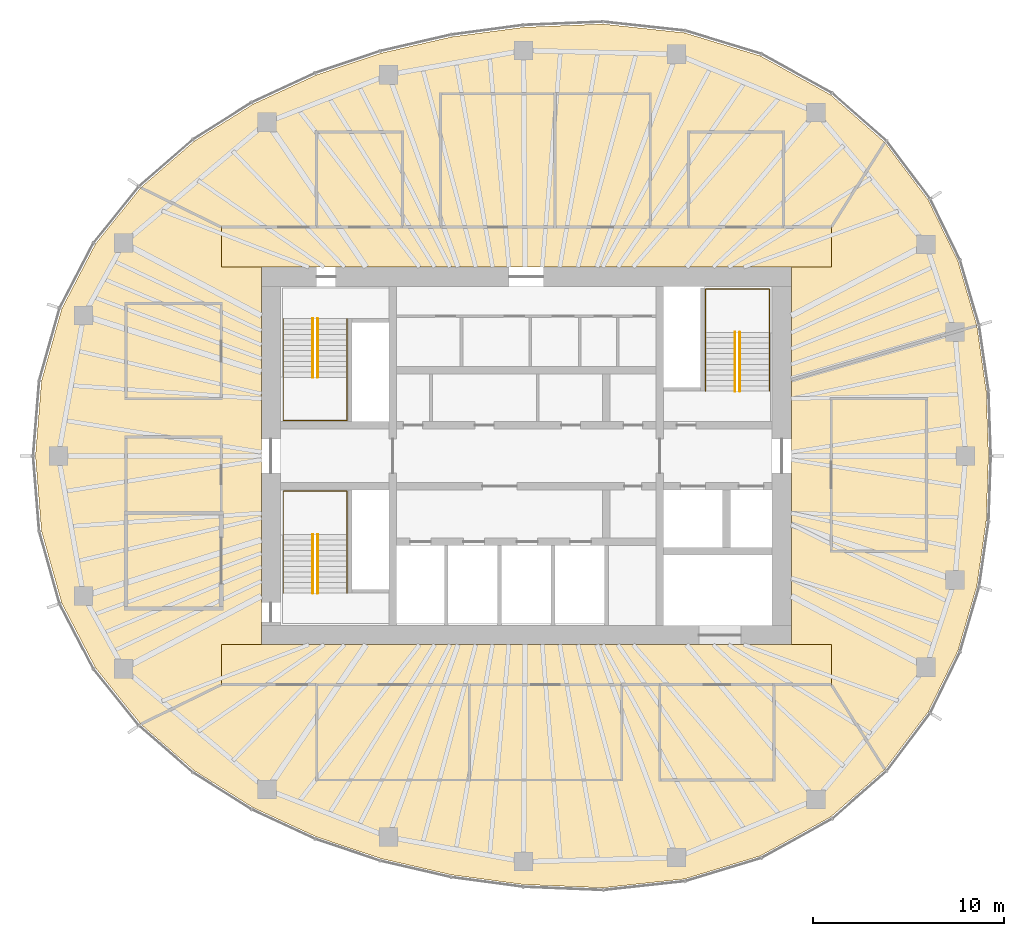
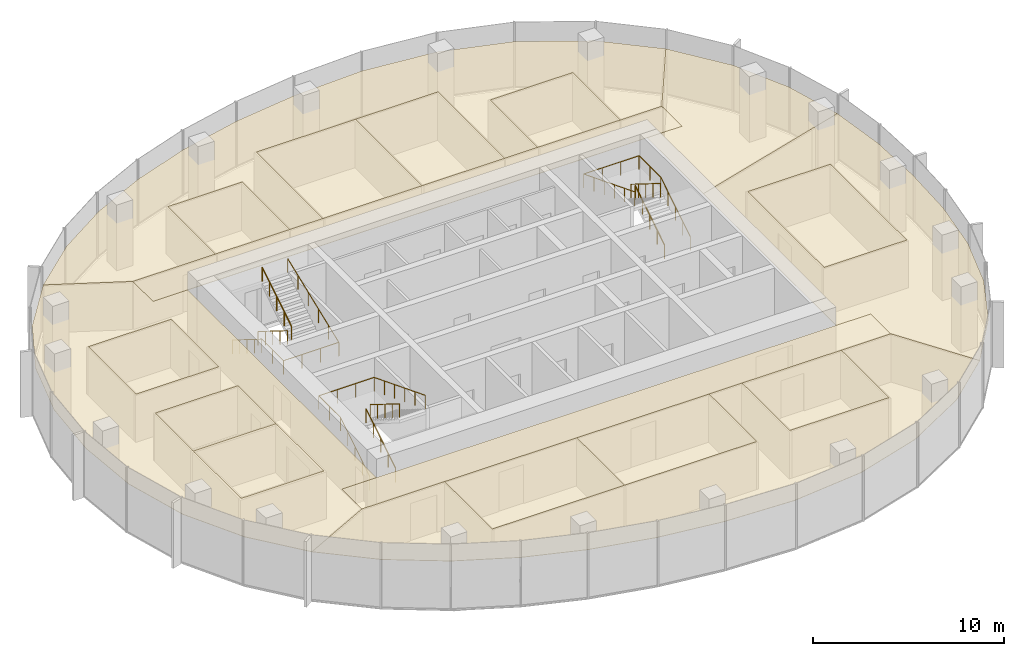
# One storey, part 11 of 11: 18 coverings, 9 railings.
"""IFC4 building model written with IfcOpenShell, lengths in metres."""

from ifc_helpers import new_model, si_unit, direction, frame, origin, origin_2d, place, context, subcontext, project, spatial, polyline, circle, outline, extrude, material, layer, layer_set, type_object, element, save


model = new_model("IFC4")

# Units and contexts
model_context = context("Model", 3, precision=1e-05, world=origin(), true_north=direction((0.0, 1.0)))
body_context = subcontext(model_context, "Body", "Model", "MODEL_VIEW")
ifc_project = project(units=[si_unit("LENGTHUNIT", "METRE"), si_unit("AREAUNIT", "SQUARE_METRE"), si_unit("VOLUMEUNIT", "CUBIC_METRE"), si_unit("PLANEANGLEUNIT", "RADIAN"), si_unit("MASSUNIT", "GRAM", prefix="KILO")], contexts=[model_context])

# Site, building, storey
site_placement = place(None, origin())
site = spatial("IfcSite", under=ifc_project, at=site_placement, CompositionType="ELEMENT")
building_placement = place(site_placement, origin())
building = spatial("IfcBuilding", under=site, at=building_placement, Name="Ghaith Harvest Tower", CompositionType="ELEMENT")
storey_placement = place(building_placement, frame((0.0, 0.0, 309.0)))
storey = spatial("IfcBuildingStorey", under=building, at=storey_placement, Name="L69", CompositionType="ELEMENT", Elevation=309.0)

# Coverings
ifc_material_1 = material(Name="Mineral fibre ceiling tile", Category="gypsum")
ifc_layer = layer(ifc_material_1, 0.02490234375)
ifc_layer_set = layer_set([ifc_layer], Name="CEILING C2")
covering_type = type_object("IfcCoveringType", Name="CEILING C2", PredefinedType="CEILING", material=ifc_layer_set)
covering_1_placement = place(storey_placement, frame((0.0, 0.0, 3.0)))
element("IfcCovering", 1, at=covering_1_placement, inside=storey, type_object=covering_type, Name="Ceiling L69-01", PredefinedType="CEILING", context=body_context, shape_type="SweptSolid", body=[
    extrude(outline(polyline([(-4.5, 12.0), (1.5, 12.0), (1.5, 19.0), (-4.5, 19.0), (-4.5, 12.0)])), origin(), (0.0, 0.0, 1.0), 0.02490234375),
])
covering_2_placement = place(storey_placement, frame((0.0, 0.0, 3.0)))
element("IfcCovering", 2, at=covering_2_placement, inside=storey, type_object=covering_type, Name="Ceiling L69-02", PredefinedType="CEILING", context=body_context, shape_type="SweptSolid", body=[
    extrude(outline(polyline([(1.5, 12.0), (6.5, 12.0), (6.5, 19.0), (1.5, 19.0), (1.5, 12.0)])), origin(), (0.0, 0.0, 1.0), 0.02490234375),
])
covering_3_placement = place(storey_placement, frame((0.0, 0.0, 3.0)))
element("IfcCovering", 3, at=covering_3_placement, inside=storey, type_object=covering_type, Name="Ceiling L69-03", PredefinedType="CEILING", context=body_context, shape_type="SweptSolid", body=[
    extrude(outline(polyline([(-11.0, -17.0), (-3.0, -17.0), (-3.0, -12.0), (-11.0, -12.0), (-11.0, -17.0)])), origin(), (0.0, 0.0, 1.0), 0.02490234375),
])
covering_4_placement = place(storey_placement, frame((0.0, 0.0, 3.0)))
element("IfcCovering", 4, at=covering_4_placement, inside=storey, type_object=covering_type, Name="Ceiling L69-04", PredefinedType="CEILING", context=body_context, shape_type="SweptSolid", body=[
    extrude(outline(polyline([(-3.0, -17.0), (5.0, -17.0), (5.0, -12.0), (-3.0, -12.0), (-3.0, -17.0)])), origin(), (0.0, 0.0, 1.0), 0.02490234375),
])
covering_5_placement = place(storey_placement, frame((0.0, 0.0, 3.0)))
element("IfcCovering", 5, at=covering_5_placement, inside=storey, type_object=covering_type, Name="Ceiling L69-05", PredefinedType="CEILING", context=body_context, shape_type="SweptSolid", body=[
    extrude(outline(polyline([(7.0, -17.0), (13.0, -17.0), (13.0, -12.0), (7.0, -12.0), (7.0, -17.0)])), origin(), (0.0, 0.0, 1.0), 0.02490234375),
])
covering_6_placement = place(storey_placement, frame((0.0, 0.0, 3.0)))
element("IfcCovering", 6, at=covering_6_placement, inside=storey, type_object=covering_type, Name="Ceiling L69-06", PredefinedType="CEILING", context=body_context, shape_type="SweptSolid", body=[
    extrude(outline(polyline([(-21.0, -8.0), (-16.0, -8.0), (-16.0, -3.0), (-21.0, -3.0), (-21.0, -8.0)])), origin(), (0.0, 0.0, 1.0), 0.02490234375),
])
covering_7_placement = place(storey_placement, frame((0.0, 0.0, 3.0)))
element("IfcCovering", 7, at=covering_7_placement, inside=storey, type_object=covering_type, Name="Ceiling L69-07", PredefinedType="CEILING", context=body_context, shape_type="SweptSolid", body=[
    extrude(outline(polyline([(-21.0, -3.0), (-16.0, -3.0), (-16.0, 1.0), (-21.0, 1.0), (-21.0, -3.0)])), origin(), (0.0, 0.0, 1.0), 0.02490234375),
])
covering_8_placement = place(storey_placement, frame((0.0, 0.0, 3.0)))
element("IfcCovering", 8, at=covering_8_placement, inside=storey, type_object=covering_type, Name="Ceiling L69-08", PredefinedType="CEILING", context=body_context, shape_type="SweptSolid", body=[
    extrude(outline(polyline([(16.0, -5.0), (21.0, -5.0), (21.0, 3.0), (16.0, 3.0), (16.0, -5.0)])), origin(), (0.0, 0.0, 1.0), 0.02490234375),
])
covering_9_placement = place(storey_placement, frame((0.0, 0.0, 3.0)))
element("IfcCovering", 9, at=covering_9_placement, inside=storey, type_object=covering_type, Name="Ceiling L69-09", PredefinedType="CEILING", context=body_context, shape_type="SweptSolid", body=[
    extrude(outline(polyline([(-11.0, 12.0), (-6.5, 12.0), (-6.5, 17.0), (-11.0, 17.0), (-11.0, 12.0)])), origin(), (0.0, 0.0, 1.0), 0.02490234375),
])
covering_10_placement = place(storey_placement, frame((0.0, 0.0, 3.0)))
element("IfcCovering", 10, at=covering_10_placement, inside=storey, type_object=covering_type, Name="Ceiling L69-10", PredefinedType="CEILING", context=body_context, shape_type="SweptSolid", body=[
    extrude(outline(polyline([(8.5, 12.0), (13.5, 12.0), (13.5, 17.0), (8.5, 17.0), (8.5, 12.0)])), origin(), (0.0, 0.0, 1.0), 0.02490234375),
])
covering_11_placement = place(storey_placement, frame((0.0, 0.0, 3.0)))
element("IfcCovering", 11, at=covering_11_placement, inside=storey, type_object=covering_type, Name="Ceiling L69-11", PredefinedType="CEILING", context=body_context, shape_type="SweptSolid", body=[
    extrude(outline(polyline([(-21.0, 3.0), (-16.0, 3.0), (-16.0, 8.0), (-21.0, 8.0), (-21.0, 3.0)])), origin(), (0.0, 0.0, 1.0), 0.02490234375),
])
covering_12_placement = place(storey_placement, frame((0.0, 0.0, 3.0)))
element("IfcCovering", 12, at=covering_12_placement, inside=storey, type_object=covering_type, Name="Ceiling L69-C1", PredefinedType="CEILING", context=body_context, shape_type="SweptSolid", body=[
    extrude(outline(polyline([(16.0, 9.89990234375), (-16.0, 9.89990234375), (-16.0, 12.0), (16.0, 12.0), (16.0, 9.89990234375)])), origin(), (0.0, 0.0, 1.0), 0.02490234375),
])
covering_13_placement = place(storey_placement, frame((0.0, 0.0, 3.0)))
element("IfcCovering", 13, at=covering_13_placement, inside=storey, type_object=covering_type, Name="Ceiling L69-C2", PredefinedType="CEILING", context=body_context, shape_type="SweptSolid", body=[
    extrude(outline(polyline([(-16.0, -9.89990234375), (16.0, -9.89990234375), (16.0, -12.0), (-16.0, -12.0), (-16.0, -9.89990234375)])), origin(), (0.0, 0.0, 1.0), 0.02490234375),
])
covering_14_placement = place(storey_placement, frame((0.0, 0.0, 3.0)))
element("IfcCovering", 14, at=covering_14_placement, inside=storey, type_object=covering_type, Name="Ceiling L69-N1", PredefinedType="CEILING", context=body_context, shape_type="SweptSolid", body=[
    extrude(outline(polyline([(-17.40771484375, 16.518310546875), (-14.331298828125, 18.452880859375), (-11.009521484375, 19.98779296875), (-7.6298828125, 21.12548828125), (-3.92529296875, 21.98046875), (-0.15380859375, 22.486083984375), (4.016845703125, 22.658447265625), (8.2978515625, 22.1962890625), (12.273681640625, 20.98828125), (15.971923828125, 18.940185546875), (18.810791015625, 16.4482421875), (16.0, 12.0), (13.5, 12.0), (13.5, 17.0), (8.5, 17.0), (8.5, 12.0), (6.5, 12.0), (6.5, 19.0), (-4.5, 19.0), (-4.5, 12.0), (-6.5, 12.0), (-6.5, 17.0), (-11.0, 17.0), (-11.0, 12.0), (-16.0, 12.0), (-20.225830078125, 14.0732421875), (-17.40771484375, 16.518310546875)])), origin(), (0.0, 0.0, 1.0), 0.02490234375),
])
covering_15_placement = place(storey_placement, frame((0.0, 0.0, 3.0)))
element("IfcCovering", 15, at=covering_15_placement, inside=storey, type_object=covering_type, Name="Ceiling L69-E1", PredefinedType="CEILING", context=body_context, shape_type="SweptSolid", body=[
    extrude(outline(polyline([(21.087890625, 13.42041015625), (22.644775390625, 10.222900390625), (23.6376953125, 6.831787109375), (21.71630859375, 6.276611328125), (13.89990234375, 4.0), (13.89990234375, 9.89990234375), (16.0, 9.89990234375), (16.0, 12.0), (18.810791015625, 16.4482421875), (21.087890625, 13.42041015625)])), origin(), (0.0, 0.0, 1.0), 0.02490234375),
])
covering_16_placement = place(storey_placement, frame((0.0, 0.0, 3.0)))
element("IfcCovering", 16, at=covering_16_placement, inside=storey, type_object=covering_type, Name="Ceiling L69-E2", PredefinedType="CEILING", context=body_context, shape_type="SweptSolid", body=[
    extrude(outline(polyline([(23.6376953125, 6.831787109375), (23.6376953125, 6.831787109375), (24.129150390625, 3.4169921875), (24.25, 0.0), (24.129150390625, -3.4169921875), (23.6376953125, -6.831787109375), (22.644775390625, -10.222900390625), (21.087890625, -13.42041015625), (18.810791015625, -16.4482421875), (16.0, -12.0), (16.0, -9.89990234375), (13.89990234375, -9.89990234375), (13.89990234375, 4.0), (21.71630859375, 6.276611328125), (23.6376953125, 6.831787109375)]), holes=[polyline([(21.0, 3.0), (16.0, 3.0), (16.0, -5.0), (21.0, -5.0), (21.0, 3.0)])]), origin(), (0.0, 0.0, 1.0), 0.02490234375),
])
covering_17_placement = place(storey_placement, frame((0.0, 0.0, 3.0)))
element("IfcCovering", 17, at=covering_17_placement, inside=storey, type_object=covering_type, Name="Ceiling L69-S1", PredefinedType="CEILING", context=body_context, shape_type="SweptSolid", body=[
    extrude(outline(polyline([(-14.331298828125, -18.452880859375), (-17.40771484375, -16.518310546875), (-20.225830078125, -14.0732421875), (-16.0, -12.0), (-11.0, -12.0), (-11.0, -17.0), (5.0, -17.0), (5.0, -12.0), (7.0, -12.0), (7.0, -17.0), (13.0, -17.0), (13.0, -12.0), (16.0, -12.0), (18.810791015625, -16.4482421875), (15.971923828125, -18.940185546875), (12.273681640625, -20.98828125), (8.2978515625, -22.1962890625), (4.016845703125, -22.658447265625), (-0.15380859375, -22.486083984375), (-3.92529296875, -21.98046875), (-7.6298828125, -21.12548828125), (-11.009521484375, -19.98779296875), (-14.331298828125, -18.452880859375)])), origin(), (0.0, 0.0, 1.0), 0.02490234375),
])
covering_18_placement = place(storey_placement, frame((0.0, 0.0, 3.0)))
element("IfcCovering", 18, at=covering_18_placement, inside=storey, type_object=covering_type, Name="Ceiling L69-W1", PredefinedType="CEILING", context=body_context, shape_type="SweptSolid", body=[
    extrude(outline(polyline([(-22.5986328125, -11.12353515625), (-24.368408203125, -7.722900390625), (-25.43310546875, -3.93359375), (-25.75, 0.0), (-25.43310546875, 3.93359375), (-24.368408203125, 7.722900390625), (-22.5986328125, 11.12353515625), (-20.225830078125, 14.0732421875), (-16.0, 12.0), (-16.0, 9.89990234375), (-13.89990234375, 9.89990234375), (-13.89990234375, -9.89990234375), (-16.0, -9.89990234375), (-16.0, -12.0), (-20.225830078125, -14.0732421875), (-22.5986328125, -11.12353515625)]), holes=[polyline([(-16.0, -8.0), (-16.0, 1.0), (-21.0, 1.0), (-21.0, -8.0), (-16.0, -8.0)]), polyline([(-21.0, 8.0), (-21.0, 3.0), (-16.0, 3.0), (-16.0, 8.0), (-21.0, 8.0)])]), origin(), (0.0, 0.0, 1.0), 0.02490234375),
])

# Railings
ifc_material_2 = material(Name="Steel, black powder-coated", Category="steel")
railing_type = type_object("IfcRailingType", Name="HANDRAIL HR1", PredefinedType="HANDRAIL", material=ifc_material_2)
railing_1_placement = place(storey_placement, frame((-11.199951171875, 7.199951171875, 0.175048828125)))
element("IfcRailing", 19, at=railing_1_placement, inside=storey, type_object=railing_type, Name="Handrail HR1 stair ST1 L69 flight 1 inner", PredefinedType="HANDRAIL", context=body_context, shape_type="SweptSolid", body=[
    extrude(circle(Radius=0.02392578125, at=origin_2d()), frame((0.0, 0.0, 0.8759765625), z_axis=(0.0, -0.847979421464, 0.530029150871), x_axis=(1.0, 0.0, 0.0)), (0.0, 0.0, 1.0), 3.632080078125),
    extrude(circle(Radius=0.02099609375, at=origin_2d()), origin(), (0.0, 0.0, 1.0), 0.851806640625),
    extrude(circle(Radius=0.02099609375, at=origin_2d()), frame((0.0, -0.77001953125, 0.481201171875)), (0.0, 0.0, 1.0), 0.851806640625),
    extrude(circle(Radius=0.02099609375, at=origin_2d()), frame((0.0, -1.5400390625, 0.96240234375)), (0.0, 0.0, 1.0), 0.851806640625),
    extrude(circle(Radius=0.02099609375, at=origin_2d()), frame((0.0, -2.309814453125, 1.44384765625)), (0.0, 0.0, 1.0), 0.851806640625),
    extrude(circle(Radius=0.02099609375, at=origin_2d()), frame((0.0, -3.079833984375, 1.925048828125)), (0.0, 0.0, 1.0), 0.851806640625),
])
railing_2_placement = place(storey_placement, frame((-10.949951171875, 4.1201171875, 2.27490234375)))
element("IfcRailing", 20, at=railing_2_placement, inside=storey, type_object=railing_type, Name="Handrail HR1 stair ST1 L69 flight 2 inner", PredefinedType="HANDRAIL", context=body_context, shape_type="SweptSolid", body=[
    extrude(circle(Radius=0.02392578125, at=origin_2d()), frame((0.0, 0.0, 0.8759765625), z_axis=(0.0, 0.847979421464, 0.530029150871), x_axis=(-1.0, 0.0, 0.0)), (0.0, 0.0, 1.0), 3.632080078125),
    extrude(circle(Radius=0.02099609375, at=origin_2d()), origin(), (0.0, 0.0, 1.0), 0.851806640625),
    extrude(circle(Radius=0.02099609375, at=origin_2d()), frame((0.0, 0.77001953125, 0.481201171875)), (0.0, 0.0, 1.0), 0.851806640625),
    extrude(circle(Radius=0.02099609375, at=origin_2d()), frame((0.0, 1.5400390625, 0.96240234375)), (0.0, 0.0, 1.0), 0.851806640625),
    extrude(circle(Radius=0.02099609375, at=origin_2d()), frame((0.0, 2.309814453125, 1.44384765625)), (0.0, 0.0, 1.0), 0.851806640625),
    extrude(circle(Radius=0.02099609375, at=origin_2d()), frame((0.0, 3.079833984375, 1.925048828125)), (0.0, 0.0, 1.0), 0.851806640625),
])
railing_3_placement = place(storey_placement, frame((-12.75, 7.199951171875, 0.175048828125)))
element("IfcRailing", 21, at=railing_3_placement, inside=storey, type_object=railing_type, Name="Handrail HR1 stair ST1 L69 wall side", PredefinedType="HANDRAIL", context=body_context, shape_type="SweptSolid", body=[
    extrude(circle(Radius=0.02392578125, at=origin_2d()), frame((0.0, 0.0, 0.8759765625), z_axis=(0.0, -0.847979421464, 0.530029150871), x_axis=(1.0, 0.0, 0.0)), (0.0, 0.0, 1.0), 3.632080078125),
    extrude(circle(Radius=0.02392578125, at=origin_2d()), frame((0.0, -3.079833984375, 2.80078125), z_axis=(0.0, -1.0, 0.0), x_axis=(1.0, 0.0, 0.0)), (0.0, 0.0, 1.0), 2.27001953125),
    extrude(circle(Radius=0.02392578125, at=origin_2d()), frame((0.0, -5.349853515625, 2.80078125), z_axis=(1.0, 0.0, 0.0), x_axis=(0.0, 1.0, 0.0)), (0.0, 0.0, 1.0), 3.35009765625),
    extrude(circle(Radius=0.02392578125, at=origin_2d()), frame((3.35009765625, -5.349853515625, 2.80078125), z_axis=(0.0, 0.930862461605, 0.365369781968), x_axis=(-1.0, 0.0, 0.0)), (0.0, 0.0, 1.0), 5.747314453125),
    extrude(circle(Radius=0.02099609375, at=origin_2d()), origin(), (0.0, 0.0, 1.0), 0.851806640625),
    extrude(circle(Radius=0.02099609375, at=origin_2d()), frame((0.0, -0.77001953125, 0.481201171875)), (0.0, 0.0, 1.0), 0.851806640625),
    extrude(circle(Radius=0.02099609375, at=origin_2d()), frame((0.0, -1.5400390625, 0.96240234375)), (0.0, 0.0, 1.0), 0.851806640625),
    extrude(circle(Radius=0.02099609375, at=origin_2d()), frame((0.0, -2.309814453125, 1.44384765625)), (0.0, 0.0, 1.0), 0.851806640625),
    extrude(circle(Radius=0.02099609375, at=origin_2d()), frame((0.0, -3.079833984375, 1.925048828125)), (0.0, 0.0, 1.0), 0.851806640625),
    extrude(circle(Radius=0.02099609375, at=origin_2d()), frame((0.0, -4.21484375, 1.925048828125)), (0.0, 0.0, 1.0), 0.851806640625),
    extrude(circle(Radius=0.02099609375, at=origin_2d()), frame((0.0, -5.349853515625, 1.925048828125)), (0.0, 0.0, 1.0), 0.851806640625),
    extrude(circle(Radius=0.02099609375, at=origin_2d()), frame((1.11669921875, -5.349853515625, 1.925048828125)), (0.0, 0.0, 1.0), 0.851806640625),
    extrude(circle(Radius=0.02099609375, at=origin_2d()), frame((2.2333984375, -5.349853515625, 1.925048828125)), (0.0, 0.0, 1.0), 0.851806640625),
    extrude(circle(Radius=0.02099609375, at=origin_2d()), frame((3.35009765625, -5.349853515625, 1.925048828125)), (0.0, 0.0, 1.0), 0.851806640625),
    extrude(circle(Radius=0.02099609375, at=origin_2d()), frame((3.35009765625, -4.27978515625, 2.344970703125)), (0.0, 0.0, 1.0), 0.851806640625),
    extrude(circle(Radius=0.02099609375, at=origin_2d()), frame((3.35009765625, -3.2099609375, 2.764892578125)), (0.0, 0.0, 1.0), 0.851806640625),
    extrude(circle(Radius=0.02099609375, at=origin_2d()), frame((3.35009765625, -2.139892578125, 3.18505859375)), (0.0, 0.0, 1.0), 0.851806640625),
    extrude(circle(Radius=0.02099609375, at=origin_2d()), frame((3.35009765625, -1.070068359375, 3.60498046875)), (0.0, 0.0, 1.0), 0.851806640625),
    extrude(circle(Radius=0.02099609375, at=origin_2d()), frame((3.35009765625, 0.0, 4.02490234375)), (0.0, 0.0, 1.0), 0.851806640625),
])
railing_4_placement = place(storey_placement, frame((-11.199951171875, -7.199951171875, 0.175048828125)))
element("IfcRailing", 22, at=railing_4_placement, inside=storey, type_object=railing_type, Name="Handrail HR1 stair ST3 L69 flight 1 inner", PredefinedType="HANDRAIL", context=body_context, shape_type="SweptSolid", body=[
    extrude(circle(Radius=0.02392578125, at=origin_2d()), frame((0.0, 0.0, 0.8759765625), z_axis=(0.0, 0.847979421464, 0.530029150871), x_axis=(-1.0, 0.0, 0.0)), (0.0, 0.0, 1.0), 3.632080078125),
    extrude(circle(Radius=0.02099609375, at=origin_2d()), origin(), (0.0, 0.0, 1.0), 0.851806640625),
    extrude(circle(Radius=0.02099609375, at=origin_2d()), frame((0.0, 0.77001953125, 0.481201171875)), (0.0, 0.0, 1.0), 0.851806640625),
    extrude(circle(Radius=0.02099609375, at=origin_2d()), frame((0.0, 1.5400390625, 0.96240234375)), (0.0, 0.0, 1.0), 0.851806640625),
    extrude(circle(Radius=0.02099609375, at=origin_2d()), frame((0.0, 2.309814453125, 1.44384765625)), (0.0, 0.0, 1.0), 0.851806640625),
    extrude(circle(Radius=0.02099609375, at=origin_2d()), frame((0.0, 3.079833984375, 1.925048828125)), (0.0, 0.0, 1.0), 0.851806640625),
])
railing_5_placement = place(storey_placement, frame((-10.949951171875, -4.1201171875, 2.27490234375)))
element("IfcRailing", 23, at=railing_5_placement, inside=storey, type_object=railing_type, Name="Handrail HR1 stair ST3 L69 flight 2 inner", PredefinedType="HANDRAIL", context=body_context, shape_type="SweptSolid", body=[
    extrude(circle(Radius=0.02392578125, at=origin_2d()), frame((0.0, 0.0, 0.8759765625), z_axis=(0.0, -0.847979421464, 0.530029150871), x_axis=(1.0, 0.0, 0.0)), (0.0, 0.0, 1.0), 3.632080078125),
    extrude(circle(Radius=0.02099609375, at=origin_2d()), origin(), (0.0, 0.0, 1.0), 0.851806640625),
    extrude(circle(Radius=0.02099609375, at=origin_2d()), frame((0.0, -0.77001953125, 0.481201171875)), (0.0, 0.0, 1.0), 0.851806640625),
    extrude(circle(Radius=0.02099609375, at=origin_2d()), frame((0.0, -1.5400390625, 0.96240234375)), (0.0, 0.0, 1.0), 0.851806640625),
    extrude(circle(Radius=0.02099609375, at=origin_2d()), frame((0.0, -2.309814453125, 1.44384765625)), (0.0, 0.0, 1.0), 0.851806640625),
    extrude(circle(Radius=0.02099609375, at=origin_2d()), frame((0.0, -3.079833984375, 1.925048828125)), (0.0, 0.0, 1.0), 0.851806640625),
])
railing_6_placement = place(storey_placement, frame((-12.75, -7.199951171875, 0.175048828125)))
element("IfcRailing", 24, at=railing_6_placement, inside=storey, type_object=railing_type, Name="Handrail HR1 stair ST3 L69 wall side", PredefinedType="HANDRAIL", context=body_context, shape_type="SweptSolid", body=[
    extrude(circle(Radius=0.02392578125, at=origin_2d()), frame((0.0, 0.0, 0.8759765625), z_axis=(0.0, 0.847979421464, 0.530029150871), x_axis=(-1.0, 0.0, 0.0)), (0.0, 0.0, 1.0), 3.632080078125),
    extrude(circle(Radius=0.02392578125, at=origin_2d()), frame((0.0, 3.079833984375, 2.80078125), z_axis=(0.0, 1.0, 0.0), x_axis=(-1.0, 0.0, 0.0)), (0.0, 0.0, 1.0), 2.27001953125),
    extrude(circle(Radius=0.02392578125, at=origin_2d()), frame((0.0, 5.349853515625, 2.80078125), z_axis=(1.0, 0.0, 0.0), x_axis=(0.0, 1.0, 0.0)), (0.0, 0.0, 1.0), 3.35009765625),
    extrude(circle(Radius=0.02392578125, at=origin_2d()), frame((3.35009765625, 5.349853515625, 2.80078125), z_axis=(0.0, -0.930862461605, 0.365369781968), x_axis=(1.0, 0.0, 0.0)), (0.0, 0.0, 1.0), 5.747314453125),
    extrude(circle(Radius=0.02099609375, at=origin_2d()), origin(), (0.0, 0.0, 1.0), 0.851806640625),
    extrude(circle(Radius=0.02099609375, at=origin_2d()), frame((0.0, 0.77001953125, 0.481201171875)), (0.0, 0.0, 1.0), 0.851806640625),
    extrude(circle(Radius=0.02099609375, at=origin_2d()), frame((0.0, 1.5400390625, 0.96240234375)), (0.0, 0.0, 1.0), 0.851806640625),
    extrude(circle(Radius=0.02099609375, at=origin_2d()), frame((0.0, 2.309814453125, 1.44384765625)), (0.0, 0.0, 1.0), 0.851806640625),
    extrude(circle(Radius=0.02099609375, at=origin_2d()), frame((0.0, 3.079833984375, 1.925048828125)), (0.0, 0.0, 1.0), 0.851806640625),
    extrude(circle(Radius=0.02099609375, at=origin_2d()), frame((0.0, 4.21484375, 1.925048828125)), (0.0, 0.0, 1.0), 0.851806640625),
    extrude(circle(Radius=0.02099609375, at=origin_2d()), frame((0.0, 5.349853515625, 1.925048828125)), (0.0, 0.0, 1.0), 0.851806640625),
    extrude(circle(Radius=0.02099609375, at=origin_2d()), frame((1.11669921875, 5.349853515625, 1.925048828125)), (0.0, 0.0, 1.0), 0.851806640625),
    extrude(circle(Radius=0.02099609375, at=origin_2d()), frame((2.2333984375, 5.349853515625, 1.925048828125)), (0.0, 0.0, 1.0), 0.851806640625),
    extrude(circle(Radius=0.02099609375, at=origin_2d()), frame((3.35009765625, 5.349853515625, 1.925048828125)), (0.0, 0.0, 1.0), 0.851806640625),
    extrude(circle(Radius=0.02099609375, at=origin_2d()), frame((3.35009765625, 4.27978515625, 2.344970703125)), (0.0, 0.0, 1.0), 0.851806640625),
    extrude(circle(Radius=0.02099609375, at=origin_2d()), frame((3.35009765625, 3.2099609375, 2.764892578125)), (0.0, 0.0, 1.0), 0.851806640625),
    extrude(circle(Radius=0.02099609375, at=origin_2d()), frame((3.35009765625, 2.139892578125, 3.18505859375)), (0.0, 0.0, 1.0), 0.851806640625),
    extrude(circle(Radius=0.02099609375, at=origin_2d()), frame((3.35009765625, 1.070068359375, 3.60498046875)), (0.0, 0.0, 1.0), 0.851806640625),
    extrude(circle(Radius=0.02099609375, at=origin_2d()), frame((3.35009765625, 0.0, 4.02490234375)), (0.0, 0.0, 1.0), 0.851806640625),
])
railing_7_placement = place(storey_placement, frame((11.199951171875, 3.39990234375, 0.175048828125)))
element("IfcRailing", 25, at=railing_7_placement, inside=storey, type_object=railing_type, Name="Handrail HR1 stair ST2 L69 flight 1 inner", PredefinedType="HANDRAIL", context=body_context, shape_type="SweptSolid", body=[
    extrude(circle(Radius=0.02392578125, at=origin_2d()), frame((0.0, 0.0, 0.8759765625), z_axis=(0.0, 0.847998304005, 0.529998940003), x_axis=(-1.0, 0.0, 0.0)), (0.0, 0.0, 1.0), 3.632080078125),
    extrude(circle(Radius=0.02099609375, at=origin_2d()), origin(), (0.0, 0.0, 1.0), 0.851806640625),
    extrude(circle(Radius=0.02099609375, at=origin_2d()), frame((0.0, 0.77001953125, 0.481201171875)), (0.0, 0.0, 1.0), 0.851806640625),
    extrude(circle(Radius=0.02099609375, at=origin_2d()), frame((0.0, 1.5400390625, 0.96240234375)), (0.0, 0.0, 1.0), 0.851806640625),
    extrude(circle(Radius=0.02099609375, at=origin_2d()), frame((0.0, 2.31005859375, 1.44384765625)), (0.0, 0.0, 1.0), 0.851806640625),
    extrude(circle(Radius=0.02099609375, at=origin_2d()), frame((0.0, 3.080078125, 1.925048828125)), (0.0, 0.0, 1.0), 0.851806640625),
])
railing_8_placement = place(storey_placement, frame((10.949951171875, 6.47998046875, 2.27490234375)))
element("IfcRailing", 26, at=railing_8_placement, inside=storey, type_object=railing_type, Name="Handrail HR1 stair ST2 L69 flight 2 inner", PredefinedType="HANDRAIL", context=body_context, shape_type="SweptSolid", body=[
    extrude(circle(Radius=0.02392578125, at=origin_2d()), frame((0.0, 0.0, 0.8759765625), z_axis=(0.0, -0.847998304005, 0.529998940003), x_axis=(1.0, 0.0, 0.0)), (0.0, 0.0, 1.0), 3.632080078125),
    extrude(circle(Radius=0.02099609375, at=origin_2d()), origin(), (0.0, 0.0, 1.0), 0.851806640625),
    extrude(circle(Radius=0.02099609375, at=origin_2d()), frame((0.0, -0.77001953125, 0.481201171875)), (0.0, 0.0, 1.0), 0.851806640625),
    extrude(circle(Radius=0.02099609375, at=origin_2d()), frame((0.0, -1.5400390625, 0.96240234375)), (0.0, 0.0, 1.0), 0.851806640625),
    extrude(circle(Radius=0.02099609375, at=origin_2d()), frame((0.0, -2.31005859375, 1.44384765625)), (0.0, 0.0, 1.0), 0.851806640625),
    extrude(circle(Radius=0.02099609375, at=origin_2d()), frame((0.0, -3.080078125, 1.925048828125)), (0.0, 0.0, 1.0), 0.851806640625),
])
railing_9_placement = place(storey_placement, frame((12.75, 3.39990234375, 0.175048828125)))
element("IfcRailing", 27, at=railing_9_placement, inside=storey, type_object=railing_type, Name="Handrail HR1 stair ST2 L69 wall side", PredefinedType="HANDRAIL", context=body_context, shape_type="SweptSolid", body=[
    extrude(circle(Radius=0.02392578125, at=origin_2d()), frame((0.0, 0.0, 0.8759765625), z_axis=(0.0, 0.847998304005, 0.529998940003), x_axis=(-1.0, 0.0, 0.0)), (0.0, 0.0, 1.0), 3.632080078125),
    extrude(circle(Radius=0.02392578125, at=origin_2d()), frame((0.0, 3.080078125, 2.80078125), z_axis=(0.0, 1.0, 0.0), x_axis=(-1.0, 0.0, 0.0)), (0.0, 0.0, 1.0), 2.27001953125),
    extrude(circle(Radius=0.02392578125, at=origin_2d()), frame((0.0, 5.35009765625, 2.80078125), z_axis=(-1.0, 0.0, 0.0), x_axis=(0.0, -1.0, 0.0)), (0.0, 0.0, 1.0), 3.35009765625),
    extrude(circle(Radius=0.02392578125, at=origin_2d()), frame((-3.35009765625, 5.35009765625, 2.80078125), z_axis=(0.0, -0.930868132128, 0.365355334692), x_axis=(1.0, 0.0, 0.0)), (0.0, 0.0, 1.0), 5.747314453125),
    extrude(circle(Radius=0.02099609375, at=origin_2d()), origin(), (0.0, 0.0, 1.0), 0.851806640625),
    extrude(circle(Radius=0.02099609375, at=origin_2d()), frame((0.0, 0.77001953125, 0.481201171875)), (0.0, 0.0, 1.0), 0.851806640625),
    extrude(circle(Radius=0.02099609375, at=origin_2d()), frame((0.0, 1.5400390625, 0.96240234375)), (0.0, 0.0, 1.0), 0.851806640625),
    extrude(circle(Radius=0.02099609375, at=origin_2d()), frame((0.0, 2.31005859375, 1.44384765625)), (0.0, 0.0, 1.0), 0.851806640625),
    extrude(circle(Radius=0.02099609375, at=origin_2d()), frame((0.0, 3.080078125, 1.925048828125)), (0.0, 0.0, 1.0), 0.851806640625),
    extrude(circle(Radius=0.02099609375, at=origin_2d()), frame((0.0, 4.215087890625, 1.925048828125)), (0.0, 0.0, 1.0), 0.851806640625),
    extrude(circle(Radius=0.02099609375, at=origin_2d()), frame((0.0, 5.35009765625, 1.925048828125)), (0.0, 0.0, 1.0), 0.851806640625),
    extrude(circle(Radius=0.02099609375, at=origin_2d()), frame((-1.11669921875, 5.35009765625, 1.925048828125)), (0.0, 0.0, 1.0), 0.851806640625),
    extrude(circle(Radius=0.02099609375, at=origin_2d()), frame((-2.2333984375, 5.35009765625, 1.925048828125)), (0.0, 0.0, 1.0), 0.851806640625),
    extrude(circle(Radius=0.02099609375, at=origin_2d()), frame((-3.35009765625, 5.35009765625, 1.925048828125)), (0.0, 0.0, 1.0), 0.851806640625),
    extrude(circle(Radius=0.02099609375, at=origin_2d()), frame((-3.35009765625, 4.280029296875, 2.344970703125)), (0.0, 0.0, 1.0), 0.851806640625),
    extrude(circle(Radius=0.02099609375, at=origin_2d()), frame((-3.35009765625, 3.2099609375, 2.764892578125)), (0.0, 0.0, 1.0), 0.851806640625),
    extrude(circle(Radius=0.02099609375, at=origin_2d()), frame((-3.35009765625, 2.14013671875, 3.18505859375)), (0.0, 0.0, 1.0), 0.851806640625),
    extrude(circle(Radius=0.02099609375, at=origin_2d()), frame((-3.35009765625, 1.070068359375, 3.60498046875)), (0.0, 0.0, 1.0), 0.851806640625),
    extrude(circle(Radius=0.02099609375, at=origin_2d()), frame((-3.35009765625, 0.0, 4.02490234375)), (0.0, 0.0, 1.0), 0.851806640625),
])

save(model, "model.ifc")
